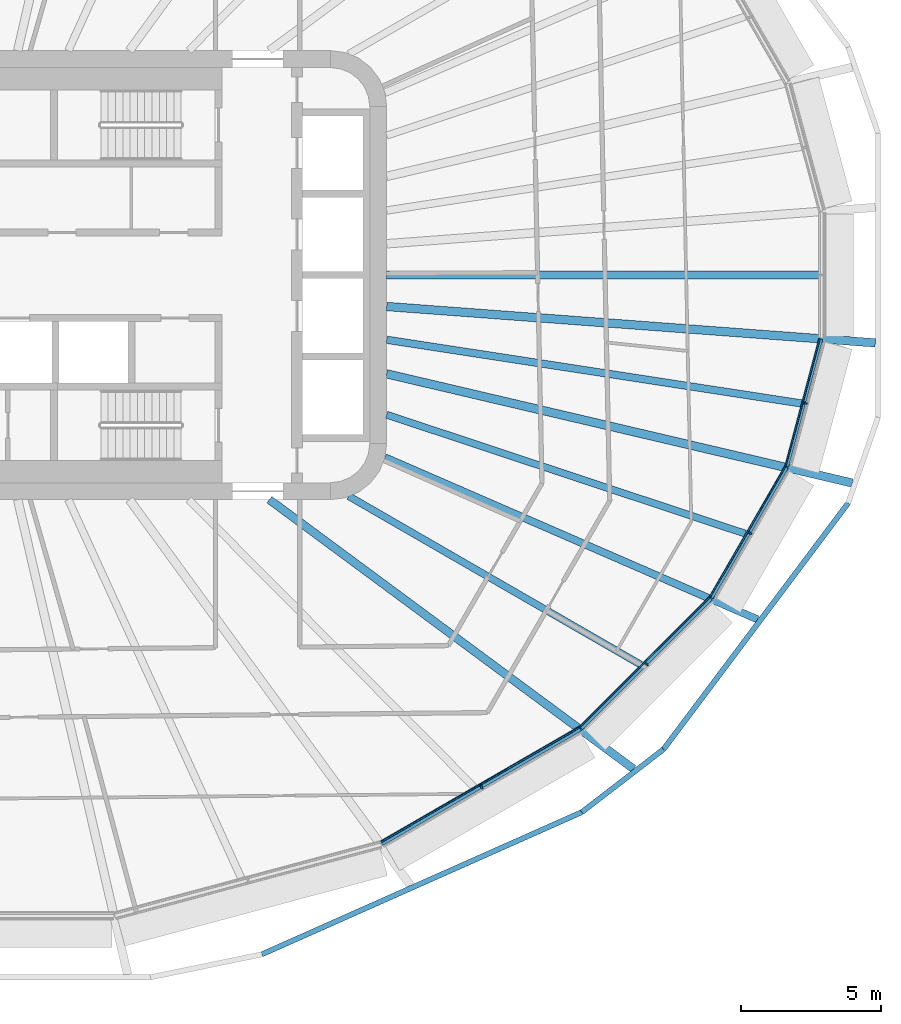
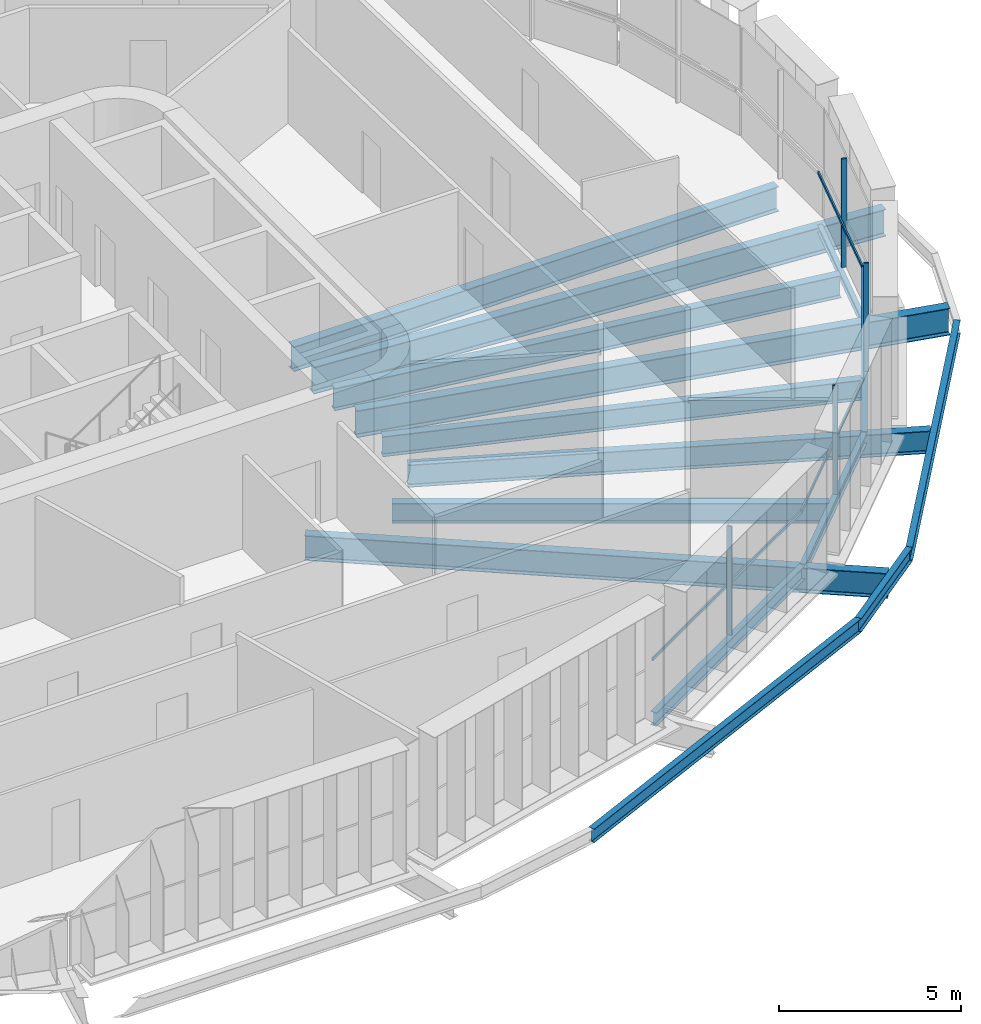
# One storey, part 5 of 24: 15 beams, 8 members, 4 elements without a shape of their own.
"""IFC4 building model written with IfcOpenShell, lengths in metres."""

from ifc_helpers import new_model, si_unit, direction, frame, origin, origin_2d, place, context, subcontext, project, spatial, rectangle, i_section, extrude, material, layer, layer_set, material_profile, profile_set, type_object, element, aggregate, save


model = new_model("IFC4")

# Units and contexts
model_context = context("Model", 3, precision=1e-05, world=origin(), true_north=direction((0.0, 1.0)))
body_context = subcontext(model_context, "Body", "Model", "MODEL_VIEW")
ifc_project = project(units=[si_unit("LENGTHUNIT", "METRE"), si_unit("AREAUNIT", "SQUARE_METRE"), si_unit("VOLUMEUNIT", "CUBIC_METRE"), si_unit("PLANEANGLEUNIT", "RADIAN"), si_unit("MASSUNIT", "GRAM", prefix="KILO")], contexts=[model_context])

# Site, building, storey
site_placement = place(None, origin())
site = spatial("IfcSite", under=ifc_project, at=site_placement, CompositionType="ELEMENT")
building_placement = place(site_placement, origin())
building = spatial("IfcBuilding", under=site, at=building_placement, Name="Sahrelin Media Tower", CompositionType="ELEMENT")
storey_placement = place(building_placement, frame((0.0, 0.0, 58.800048828125)))
storey = spatial("IfcBuildingStorey", under=building, at=storey_placement, Name="L09", CompositionType="ELEMENT", Elevation=58.800048828125)

# Beams
ifc_material_1 = material(Name="Steel S355", Category="steel")
ifc_material_profile_1 = material_profile(ifc_material_1, i_section(OverallWidth=0.14599609375, OverallDepth=0.25146484375, WebThickness=0.006103515625, FlangeThickness=0.008544921875, FilletRadius=0.007568359375, at=origin_2d()), Name="UB 254x146x31")
ifc_profile_set_1 = profile_set([ifc_material_profile_1], Name="Steel S355")
beam_type_1 = type_object("IfcBeamType", Name="Edge beam EB1", PredefinedType="BEAM", material=ifc_profile_set_1)
beam_1_placement = place(storey_placement, frame((30.464599609375, -2.275146484375, -0.275634765625), z_axis=(-0.258819114227, -0.965925807767, 0.0), x_axis=(0.965925807767, -0.258819114227, 0.0)))
element("IfcBeam", 1, at=beam_1_placement, inside=storey, type_object=beam_type_1, Name="Edge beam L09-02", PredefinedType="BEAM", context=body_context, shape_type="SweptSolid", body=[
    extrude(i_section(OverallWidth=0.14599609375, OverallDepth=0.25146484375, WebThickness=0.006103515625, FlangeThickness=0.008544921875, FilletRadius=0.007568359375, at=origin_2d()), origin(), (0.0, 0.0, 1.0), 4.703125),
])
ifc_material_profile_2 = material_profile(ifc_material_1, i_section(OverallWidth=0.1650390625, OverallDepth=0.303466796875, WebThickness=0.006103515625, FlangeThickness=0.01025390625, FilletRadius=0.0087890625, at=origin_2d()), Name="UB 305x165x40")
ifc_profile_set_2 = profile_set([ifc_material_profile_2], Name="Steel S355")
beam_type_2 = type_object("IfcBeamType", Name="Edge beam EB2", PredefinedType="BEAM", material=ifc_profile_set_2)
beam_2_placement = place(storey_placement, frame((29.236328125, -6.8447265625, -0.3017578125), z_axis=(-0.500011394563, -0.86601882503, 0.0), x_axis=(0.86601882503, -0.500011394563, 0.0)))
element("IfcBeam", 2, at=beam_2_placement, inside=storey, type_object=beam_type_2, Name="Edge beam L09-03", PredefinedType="BEAM", context=body_context, shape_type="SweptSolid", body=[
    extrude(i_section(OverallWidth=0.1650390625, OverallDepth=0.303466796875, WebThickness=0.006103515625, FlangeThickness=0.01025390625, FilletRadius=0.0087890625, at=origin_2d()), origin(), (0.0, 0.0, 1.0), 5.363525390625),
])
ifc_material_profile_3 = material_profile(ifc_material_1, i_section(OverallWidth=0.17138671875, OverallDepth=0.35498046875, WebThickness=0.00732421875, FlangeThickness=0.011474609375, FilletRadius=0.01025390625, at=origin_2d()), Name="UB 356x171x51")
ifc_profile_set_3 = profile_set([ifc_material_profile_3], Name="Steel S355")
beam_type_3 = type_object("IfcBeamType", Name="Edge beam EB3", PredefinedType="BEAM", material=ifc_profile_set_3)
beam_3_placement = place(storey_placement, frame((26.536865234375, -11.5126953125, -0.32763671875), z_axis=(-0.707106781187, -0.707106781187, 0.0), x_axis=(0.707106781187, -0.707106781187, 0.0)))
element("IfcBeam", 3, at=beam_3_placement, inside=storey, type_object=beam_type_3, Name="Edge beam L09-04", PredefinedType="BEAM", context=body_context, shape_type="SweptSolid", body=[
    extrude(i_section(OverallWidth=0.17138671875, OverallDepth=0.35498046875, WebThickness=0.00732421875, FlangeThickness=0.011474609375, FilletRadius=0.01025390625, at=origin_2d()), origin(), (0.0, 0.0, 1.0), 6.536865234375),
])
ifc_material_profile_4 = material_profile(ifc_material_1, i_section(OverallWidth=0.1904296875, OverallDepth=0.45703125, WebThickness=0.009033203125, FlangeThickness=0.014404296875, FilletRadius=0.01025390625, at=origin_2d()), Name="UB 457x191x74")
ifc_profile_set_4 = profile_set([ifc_material_profile_4], Name="Steel S355")
beam_type_4 = type_object("IfcBeamType", Name="Edge beam EB5", PredefinedType="BEAM", material=ifc_profile_set_4)
beam_4_placement = place(storey_placement, frame((21.8916015625, -16.152587890625, -0.378662109375), z_axis=(-0.866019440968, -0.500010327758, 0.0), x_axis=(0.500010327758, -0.866019440968, 0.0)))
element("IfcBeam", 4, at=beam_4_placement, inside=storey, type_object=beam_type_4, Name="Edge beam L09-05", PredefinedType="BEAM", context=body_context, shape_type="SweptSolid", body=[
    extrude(i_section(OverallWidth=0.1904296875, OverallDepth=0.45703125, WebThickness=0.009033203125, FlangeThickness=0.014404296875, FilletRadius=0.01025390625, at=origin_2d()), origin(), (0.0, 0.0, 1.0), 8.173095703125),
])

# Curtain wall, member
ifc_material_2 = material(Name="Champagne anodised aluminium 6063-T6", Category="aluminium")
ifc_layer = layer(ifc_material_2, 0.14990234375)
ifc_layer_set = layer_set([ifc_layer], Name="Tower ribbon curtain wall")
curtain_wall_type = type_object("IfcCurtainWallType", Name="Tower ribbon curtain wall", PredefinedType="NOTDEFINED", material=ifc_layer_set)
curtain_wall_1_placement = place(storey_placement, frame((18.427490234375, -18.32568359375, 0.0), z_axis=(0.0, 0.0, 1.0), x_axis=(1.0, 0.0, 0.0)))
curtain_wall_1 = element("IfcCurtainWall", 5, at=curtain_wall_1_placement, inside=storey, type_object=curtain_wall_type, Name="L09:CW:L09-20", PredefinedType="NOTDEFINED")
ifc_material_profile_5 = material_profile(ifc_material_2, rectangle(XDim=0.06005859375, YDim=0.14990234375, at=origin_2d()), Name="Mullion 60x150")
ifc_profile_set_5 = profile_set([ifc_material_profile_5], Name="Champagne anodised aluminium 6063-T6")
member_type_1 = type_object("IfcMemberType", Name="Mullion 60x150 CW1", PredefinedType="MULLION", material=ifc_profile_set_5)
member_1_placement = place(storey_placement, frame((18.3798828125, -18.24365234375, 0.0), z_axis=(0.0, 0.0, 1.0), x_axis=(0.866025403784, 0.5, 0.0)))
member_1 = element("IfcMember", 6, at=member_1_placement, type_object=member_type_1, Name="L09:CWM:L09-20", PredefinedType="MULLION", context=body_context, shape_type="SweptSolid", body=[
    extrude(rectangle(XDim=0.06005859375, YDim=0.14990234375, at=origin_2d()), origin(), (0.0, 0.0, 1.0), 3.6484375),
])

curtain_wall_2_placement = place(storey_placement, frame((24.331787109375, -13.929931640625, 0.0), z_axis=(0.0, 0.0, 1.0), x_axis=(1.0, 0.0, 0.0)))
curtain_wall_2 = element("IfcCurtainWall", 7, at=curtain_wall_2_placement, inside=storey, type_object=curtain_wall_type, Name="L09:CW:L09-21", PredefinedType="NOTDEFINED")
member_2_placement = place(storey_placement, frame((24.2646484375, -13.86279296875, 0.0), z_axis=(0.0, 0.0, 1.0), x_axis=(0.707106781187, 0.707106781187, 0.0)))
member_2 = element("IfcMember", 8, at=member_2_placement, type_object=member_type_1, Name="L09:CWM:L09-21", PredefinedType="MULLION", context=body_context, shape_type="SweptSolid", body=[
    extrude(rectangle(XDim=0.06005859375, YDim=0.14990234375, at=origin_2d()), origin(), (0.0, 0.0, 1.0), 3.6484375),
])

curtain_wall_3_placement = place(storey_placement, frame((28.025390625, -9.2421875, 0.0), z_axis=(0.0, 0.0, 1.0), x_axis=(1.0, 0.0, 0.0)))
curtain_wall_3 = element("IfcCurtainWall", 9, at=curtain_wall_3_placement, inside=storey, type_object=curtain_wall_type, Name="L09:CW:L09-22", PredefinedType="NOTDEFINED")
member_3_placement = place(storey_placement, frame((27.943115234375, -9.194580078125, 0.0), z_axis=(0.0, 0.0, 1.0), x_axis=(0.500007557478, 0.866021040428, 0.0)))
member_3 = element("IfcMember", 10, at=member_3_placement, type_object=member_type_1, Name="L09:CWM:L09-22", PredefinedType="MULLION", context=body_context, shape_type="SweptSolid", body=[
    extrude(rectangle(XDim=0.06005859375, YDim=0.14990234375, at=origin_2d()), origin(), (0.0, 0.0, 1.0), 3.6484375),
])

curtain_wall_4_placement = place(storey_placement, frame((30.0009765625, -4.58544921875, 0.0), z_axis=(0.0, 0.0, 1.0), x_axis=(1.0, 0.0, 0.0)))
curtain_wall_4 = element("IfcCurtainWall", 11, at=curtain_wall_4_placement, inside=storey, type_object=curtain_wall_type, Name="L09:CW:L09-23", PredefinedType="NOTDEFINED")
member_4_placement = place(storey_placement, frame((29.9091796875, -4.560791015625, 0.0), z_axis=(0.0, 0.0, 1.0), x_axis=(0.258817359244, 0.965926278012, 0.0)))
member_4 = element("IfcMember", 12, at=member_4_placement, type_object=member_type_1, Name="L09:CWM:L09-23", PredefinedType="MULLION", context=body_context, shape_type="SweptSolid", body=[
    extrude(rectangle(XDim=0.06005859375, YDim=0.14990234375, at=origin_2d()), origin(), (0.0, 0.0, 1.0), 3.6484375),
])

# Beams
ifc_material_profile_6 = material_profile(ifc_material_1, i_section(OverallWidth=0.291748046875, OverallDepth=0.8349609375, WebThickness=0.013916015625, FlangeThickness=0.018798828125, FilletRadius=0.017822265625, at=origin_2d()), Name="UB 838x292x176")
ifc_profile_set_6 = profile_set([ifc_material_profile_6], Name="Steel S355")
beam_type_5 = type_object("IfcBeamType", Name="Radial primary beam PB10", PredefinedType="BEAM", material=ifc_profile_set_6)
beam_5_placement = place(storey_placement, frame((10.818603515625, -8.0, -0.567626953125), z_axis=(0.804053202337, -0.594557354518, 0.0), x_axis=(0.594557354518, 0.804053202337, 0.0)))
element("IfcBeam", 13, at=beam_5_placement, inside=storey, type_object=beam_type_5, Name="Radial beam L09-21", PredefinedType="BEAM", context=body_context, shape_type="SweptSolid", body=[
    extrude(i_section(OverallWidth=0.291748046875, OverallDepth=0.8349609375, WebThickness=0.013916015625, FlangeThickness=0.018798828125, FilletRadius=0.017822265625, at=origin_2d()), origin(), (0.0, 0.0, 1.0), 16.13916015625),
])
ifc_material_profile_7 = material_profile(ifc_material_1, i_section(OverallWidth=0.30322265625, OverallDepth=0.903076171875, WebThickness=0.01513671875, FlangeThickness=0.020263671875, FilletRadius=0.01904296875, at=origin_2d()), Name="UB 914x305x201")
ifc_profile_set_7 = profile_set([ifc_material_profile_7], Name="Steel S355")
beam_type_6 = type_object("IfcBeamType", Name="Radial primary beam PB11", PredefinedType="BEAM", material=ifc_profile_set_7)
beam_6_placement = place(storey_placement, frame((15.0, -3.517333984375, -0.6015625), z_axis=(0.973594073023, -0.228286182182, 0.0), x_axis=(0.228286182182, 0.973594073023, 0.0)))
element("IfcBeam", 14, at=beam_6_placement, inside=storey, type_object=beam_type_6, Name="Radial beam L09-23", PredefinedType="BEAM", context=body_context, shape_type="SweptSolid", body=[
    extrude(i_section(OverallWidth=0.30322265625, OverallDepth=0.903076171875, WebThickness=0.01513671875, FlangeThickness=0.020263671875, FilletRadius=0.01904296875, at=origin_2d()), origin(), (0.0, 0.0, 1.0), 17.03955078125),
])
beam_7_placement = place(storey_placement, frame((15.0, -1.117431640625, -0.6015625), z_axis=(0.997237376069, -0.074280655426, 0.0), x_axis=(0.074280655426, 0.997237376069, 0.0)))
element("IfcBeam", 15, at=beam_7_placement, inside=storey, type_object=beam_type_6, Name="Radial beam L09-24", PredefinedType="BEAM", context=body_context, shape_type="SweptSolid", body=[
    extrude(i_section(OverallWidth=0.30322265625, OverallDepth=0.903076171875, WebThickness=0.01513671875, FlangeThickness=0.020263671875, FilletRadius=0.01904296875, at=origin_2d()), origin(), (0.0, 0.0, 1.0), 17.459228515625),
])
ifc_material_profile_8 = material_profile(ifc_material_1, i_section(OverallWidth=0.26513671875, OverallDepth=0.75390625, WebThickness=0.0126953125, FlangeThickness=0.017578125, FilletRadius=0.0166015625, at=origin_2d()), Name="UB 762x267x147")
ifc_profile_set_8 = profile_set([ifc_material_profile_8], Name="Steel S355")
beam_type_7 = type_object("IfcBeamType", Name="Radial primary beam PB9", PredefinedType="BEAM", material=ifc_profile_set_8)
beam_8_placement = place(storey_placement, frame((14.93505859375, -6.493408203125, -0.527099609375), z_axis=(0.917065499271, -0.398736592309, 0.0), x_axis=(0.398736592309, 0.917065499271, 0.0)))
element("IfcBeam", 16, at=beam_8_placement, inside=storey, type_object=beam_type_7, Name="Radial beam L09-22", PredefinedType="BEAM", context=body_context, shape_type="SweptSolid", body=[
    extrude(i_section(OverallWidth=0.26513671875, OverallDepth=0.75390625, WebThickness=0.0126953125, FlangeThickness=0.017578125, FilletRadius=0.0166015625, at=origin_2d()), origin(), (0.0, 0.0, 1.0), 14.47998046875),
])
ifc_material_profile_9 = material_profile(ifc_material_1, i_section(OverallWidth=0.291748046875, OverallDepth=0.8349609375, WebThickness=0.013916015625, FlangeThickness=0.018798828125, FilletRadius=0.017822265625, at=origin_2d()), Name="UB 838x292x176")
ifc_profile_set_9 = profile_set([ifc_material_profile_9], Name="Steel S355")
beam_type_8 = type_object("IfcBeamType", Name="Radial secondary beam SB10", PredefinedType="BEAM", material=ifc_profile_set_9)
beam_9_placement = place(storey_placement, frame((15.0, 0.0, -0.567626953125), z_axis=(1.0, 0.0, 0.0), x_axis=(0.0, 1.0, 0.0)))
element("IfcBeam", 17, at=beam_9_placement, inside=storey, type_object=beam_type_8, Name="Secondary beam L09-24", PredefinedType="BEAM", context=body_context, shape_type="SweptSolid", body=[
    extrude(i_section(OverallWidth=0.291748046875, OverallDepth=0.8349609375, WebThickness=0.013916015625, FlangeThickness=0.018798828125, FilletRadius=0.017822265625, at=origin_2d()), origin(), (0.0, 0.0, 1.0), 15.3955078125),
])
ifc_material_profile_10 = material_profile(ifc_material_1, i_section(OverallWidth=0.2529296875, OverallDepth=0.677978515625, WebThickness=0.01171875, FlangeThickness=0.01611328125, FilletRadius=0.01513671875, at=origin_2d()), Name="UB 686x254x125")
ifc_profile_set_10 = profile_set([ifc_material_profile_10], Name="Steel S355")
beam_type_9 = type_object("IfcBeamType", Name="Radial secondary beam SB8", PredefinedType="BEAM", material=ifc_profile_set_10)
beam_10_placement = place(storey_placement, frame((13.6494140625, -7.877197265625, -0.489013671875), z_axis=(0.866108058974, -0.499856809677, 0.0), x_axis=(0.499856809677, 0.866108058974, 0.0)))
element("IfcBeam", 18, at=beam_10_placement, inside=storey, type_object=beam_type_9, Name="Secondary beam L09-21", PredefinedType="BEAM", context=body_context, shape_type="SweptSolid", body=[
    extrude(i_section(OverallWidth=0.2529296875, OverallDepth=0.677978515625, WebThickness=0.01171875, FlangeThickness=0.01611328125, FilletRadius=0.01513671875, at=origin_2d()), origin(), (0.0, 0.0, 1.0), 12.00732421875),
])
beam_11_placement = place(storey_placement, frame((15.0, -4.974609375, -0.489013671875), z_axis=(0.949164712184, -0.314779842342, 0.0), x_axis=(0.314779842342, 0.949164712184, 0.0)))
element("IfcBeam", 19, at=beam_11_placement, inside=storey, type_object=beam_type_9, Name="Secondary beam L09-22", PredefinedType="BEAM", context=body_context, shape_type="SweptSolid", body=[
    extrude(i_section(OverallWidth=0.2529296875, OverallDepth=0.677978515625, WebThickness=0.01171875, FlangeThickness=0.01611328125, FilletRadius=0.01513671875, at=origin_2d()), origin(), (0.0, 0.0, 1.0), 13.458740234375),
])
ifc_material_profile_11 = material_profile(ifc_material_1, i_section(OverallWidth=0.26513671875, OverallDepth=0.75390625, WebThickness=0.0126953125, FlangeThickness=0.017578125, FilletRadius=0.0166015625, at=origin_2d()), Name="UB 762x267x147")
ifc_profile_set_11 = profile_set([ifc_material_profile_11], Name="Steel S355")
beam_type_10 = type_object("IfcBeamType", Name="Radial secondary beam SB9", PredefinedType="BEAM", material=ifc_profile_set_11)
beam_12_placement = place(storey_placement, frame((15.0, -2.302978515625, -0.527099609375), z_axis=(0.98841753883, -0.151758917146, 0.0), x_axis=(0.151758917146, 0.98841753883, 0.0)))
element("IfcBeam", 20, at=beam_12_placement, inside=storey, type_object=beam_type_10, Name="Secondary beam L09-23", PredefinedType="BEAM", context=body_context, shape_type="SweptSolid", body=[
    extrude(i_section(OverallWidth=0.26513671875, OverallDepth=0.75390625, WebThickness=0.0126953125, FlangeThickness=0.017578125, FilletRadius=0.0166015625, at=origin_2d()), origin(), (0.0, 0.0, 1.0), 14.94677734375),
])
ifc_material_profile_12 = material_profile(ifc_material_1, i_section(OverallWidth=0.1904296875, OverallDepth=0.45703125, WebThickness=0.009033203125, FlangeThickness=0.014404296875, FilletRadius=0.01025390625, at=origin_2d()), Name="UB 457x191x74")
ifc_profile_set_12 = profile_set([ifc_material_profile_12], Name="Steel S355")
beam_type_11 = type_object("IfcBeamType", Name="Tie chord TC5", PredefinedType="BEAM", material=ifc_profile_set_12)
beam_13_placement = place(storey_placement, frame((10.55517578125, -24.19970703125, -0.378662109375), z_axis=(0.91383253847, 0.406091235602, 0.0), x_axis=(-0.406091235602, 0.91383253847, 0.0)))
element("IfcBeam", 21, at=beam_13_placement, inside=storey, type_object=beam_type_11, Name="Tie chord L09-20", PredefinedType="BEAM", context=body_context, shape_type="SweptSolid", body=[
    extrude(i_section(OverallWidth=0.1904296875, OverallDepth=0.45703125, WebThickness=0.009033203125, FlangeThickness=0.014404296875, FilletRadius=0.01025390625, at=origin_2d()), origin(), (0.0, 0.0, 1.0), 12.469970703125),
])
beam_14_placement = place(storey_placement, frame((21.95068359375, -19.1357421875, -0.378662109375), z_axis=(0.792455930627, 0.609929174588, 0.0), x_axis=(-0.609929174588, 0.792455930627, 0.0)))
element("IfcBeam", 22, at=beam_14_placement, inside=storey, type_object=beam_type_11, Name="Tie chord L09-21", PredefinedType="BEAM", context=body_context, shape_type="SweptSolid", body=[
    extrude(i_section(OverallWidth=0.1904296875, OverallDepth=0.45703125, WebThickness=0.009033203125, FlangeThickness=0.014404296875, FilletRadius=0.01025390625, at=origin_2d()), origin(), (0.0, 0.0, 1.0), 3.6728515625),
])
beam_15_placement = place(storey_placement, frame((24.861328125, -16.8955078125, -0.378662109375), z_axis=(0.600064126043, 0.799951901452, 0.0), x_axis=(-0.799951901452, 0.600064126043, 0.0)))
element("IfcBeam", 23, at=beam_15_placement, inside=storey, type_object=beam_type_11, Name="Tie chord L09-22", PredefinedType="BEAM", context=body_context, shape_type="SweptSolid", body=[
    extrude(i_section(OverallWidth=0.1904296875, OverallDepth=0.45703125, WebThickness=0.009033203125, FlangeThickness=0.014404296875, FilletRadius=0.01025390625, at=origin_2d()), origin(), (0.0, 0.0, 1.0), 10.96435546875),
])

# Member
ifc_material_profile_13 = material_profile(ifc_material_2, rectangle(XDim=0.050048828125, YDim=0.10009765625, at=origin_2d()), Name="Transom 50x100")
ifc_profile_set_13 = profile_set([ifc_material_profile_13], Name="Champagne anodised aluminium 6063-T6")
member_type_2 = type_object("IfcMemberType", Name="Transom 50x100 CW1", PredefinedType="USERDEFINED", material=ifc_profile_set_13)
member_5_placement = place(storey_placement, frame((14.804443359375, -20.1923828125, 1.599853515625), z_axis=(0.866031287275, 0.499989809357, 0.0), x_axis=(-0.499989809357, 0.866031287275, 0.0)))
member_5 = element("IfcMember", 24, at=member_5_placement, type_object=member_type_2, Name="L09:CWT:L09-20", ObjectType="TRANSOM", PredefinedType="USERDEFINED", context=body_context, shape_type="SweptSolid", body=[
    extrude(rectangle(XDim=0.050048828125, YDim=0.10009765625, at=origin_2d()), origin(), (0.0, 0.0, 1.0), 8.141845703125),
])

aggregate(curtain_wall_1, [member_1, member_5])

member_6_placement = place(storey_placement, frame((21.893798828125, -16.09228515625, 1.599853515625), z_axis=(0.707088017324, 0.707125544551, 0.0), x_axis=(-0.707125544551, 0.707088017324, 0.0)))
member_6 = element("IfcMember", 25, at=member_6_placement, type_object=member_type_2, Name="L09:CWT:L09-21", ObjectType="TRANSOM", PredefinedType="USERDEFINED", context=body_context, shape_type="SweptSolid", body=[
    extrude(rectangle(XDim=0.050048828125, YDim=0.10009765625, at=origin_2d()), origin(), (0.0, 0.0, 1.0), 6.505615234375),
])

aggregate(curtain_wall_2, [member_2, member_6])

member_7_placement = place(storey_placement, frame((26.523193359375, -11.45361328125, 1.599853515625), z_axis=(0.500014410368, 0.866017083794, 0.0), x_axis=(-0.866017083794, 0.500014410368, 0.0)))
member_7 = element("IfcMember", 26, at=member_7_placement, type_object=member_type_2, Name="L09:CWT:L09-22", ObjectType="TRANSOM", PredefinedType="USERDEFINED", context=body_context, shape_type="SweptSolid", body=[
    extrude(rectangle(XDim=0.050048828125, YDim=0.10009765625, at=origin_2d()), origin(), (0.0, 0.0, 1.0), 5.332275390625),
])

aggregate(curtain_wall_3, [member_3, member_7])

member_8_placement = place(storey_placement, frame((29.2080078125, -6.791259765625, 1.599853515625), z_axis=(0.258794425044, 0.965932422878, 0.0), x_axis=(-0.965932422878, 0.258794425044, 0.0)))
member_8 = element("IfcMember", 27, at=member_8_placement, type_object=member_type_2, Name="L09:CWT:L09-23", ObjectType="TRANSOM", PredefinedType="USERDEFINED", context=body_context, shape_type="SweptSolid", body=[
    extrude(rectangle(XDim=0.050048828125, YDim=0.10009765625, at=origin_2d()), origin(), (0.0, 0.0, 1.0), 4.671630859375),
])

aggregate(curtain_wall_4, [member_4, member_8])

save(model, "model.ifc")
